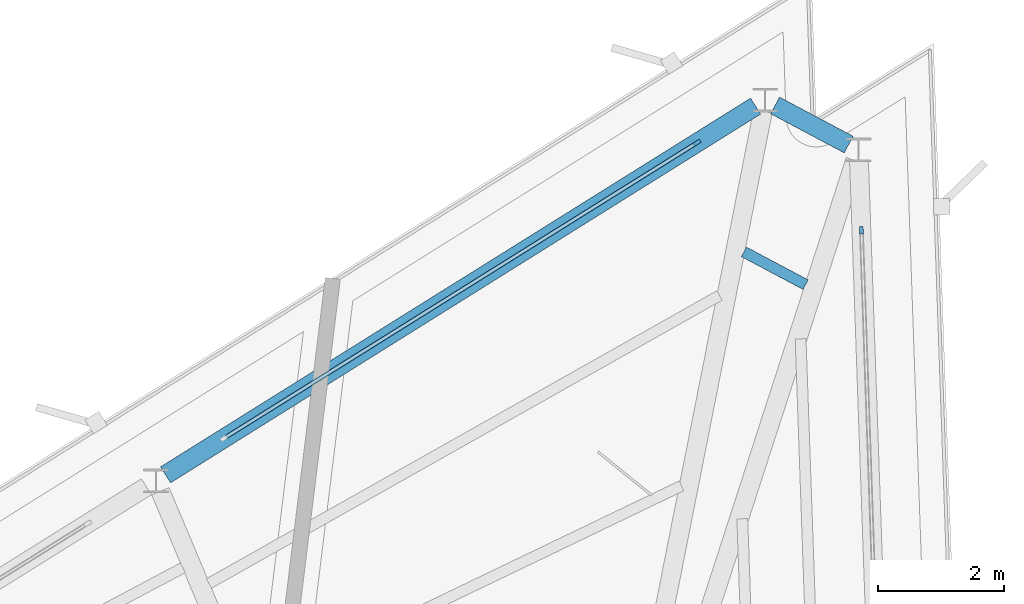
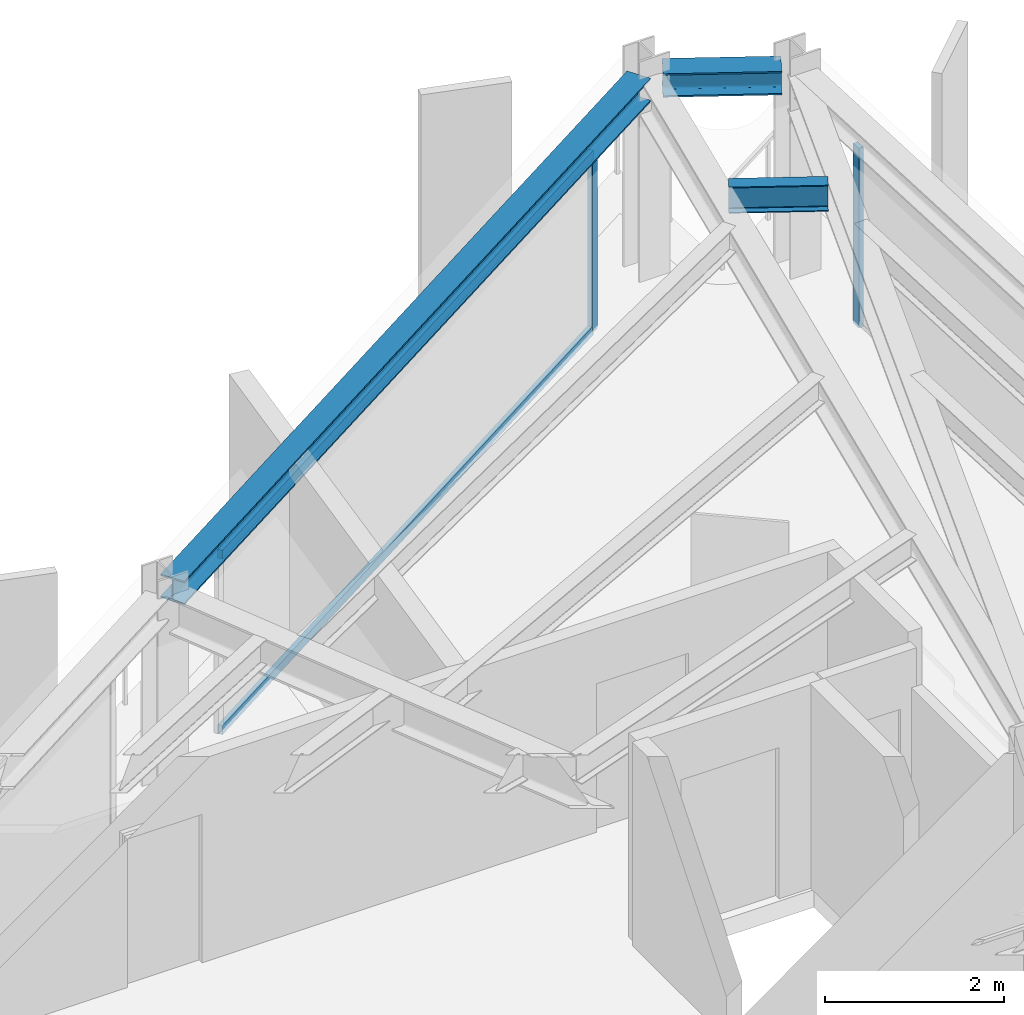
# One storey, part 7 of 13: 4 members, 3 beams, 2 elements without a shape of their own.
"""IFC4 building model written with IfcOpenShell, lengths in metres."""

from ifc_helpers import new_model, si_unit, direction, frame, origin, origin_2d, place, context, subcontext, project, spatial, rectangle, i_section, extrude, material, layer, layer_set, material_profile, profile_set, type_object, element, aggregate, save


model = new_model("IFC4")

# Units and contexts
model_context = context("Model", 3, precision=1e-05, world=origin(), true_north=direction((0.0, 1.0)))
body_context = subcontext(model_context, "Body", "Model", "MODEL_VIEW")
ifc_project = project(units=[si_unit("LENGTHUNIT", "METRE"), si_unit("AREAUNIT", "SQUARE_METRE"), si_unit("VOLUMEUNIT", "CUBIC_METRE"), si_unit("PLANEANGLEUNIT", "RADIAN"), si_unit("MASSUNIT", "GRAM", prefix="KILO")], contexts=[model_context])

# Site, building, storey
site_placement = place(None, origin())
site = spatial("IfcSite", under=ifc_project, at=site_placement, CompositionType="ELEMENT")
building_placement = place(site_placement, origin())
building = spatial("IfcBuilding", under=site, at=building_placement, Name="Rocaltana Carrier Exchange", CompositionType="ELEMENT")
storey_placement = place(building_placement, frame((0.0, 0.0, 208.800048828125)))
storey = spatial("IfcBuildingStorey", under=building, at=storey_placement, Name="L66", CompositionType="ELEMENT", Elevation=208.800048828125)

# Curtain wall, member
ifc_material_1 = material(Name="Aluminium 6063-T6", Category="aluminium")
ifc_layer = layer(ifc_material_1, 0.1201171875)
ifc_layer_set = layer_set([ifc_layer], Name="Aluminium 6063-T6")
curtain_wall_type = type_object("IfcCurtainWallType", Name="High-Altitude Thermal Curtain Wall CW-05", PredefinedType="NOTDEFINED", material=ifc_layer_set)
curtain_wall_1_placement = place(storey_placement, origin())
curtain_wall_1 = element("IfcCurtainWall", 1, at=curtain_wall_1_placement, inside=storey, type_object=curtain_wall_type, Name="L66 CW-05 Run CW-L66-F1S3", PredefinedType="NOTDEFINED")
ifc_material_2 = material(Name="Aluminium 6063-T6", Category="aluminium")
ifc_material_profile_1 = material_profile(ifc_material_2, rectangle(XDim=0.06005859375, YDim=0.1201171875, at=origin_2d()), Name="AL-60X120")
ifc_profile_set_1 = profile_set([ifc_material_profile_1], Name="Aluminium 6063-T6")
member_type_1 = type_object("IfcMemberType", Name="CW-05 Mullion AL-60X120", PredefinedType="MULLION", material=ifc_profile_set_1)
member_1_placement = place(storey_placement, frame((10.31396484375, 16.239990234375, 0.0), z_axis=(0.0, 0.0, 1.0), x_axis=(-0.999390720156, -0.034902556738, 0.0)))
member_1 = element("IfcMember", 2, at=member_1_placement, type_object=member_type_1, Name="CW-05 mullion 2", PredefinedType="MULLION", context=body_context, shape_type="SweptSolid", body=[
    extrude(rectangle(XDim=0.06005859375, YDim=0.1201171875, at=origin_2d()), origin(), (0.0, 0.0, 1.0), 2.447998046875),
])
aggregate(curtain_wall_1, [member_1])

# Curtain wall, members
curtain_wall_2_placement = place(storey_placement, origin())
curtain_wall_2 = element("IfcCurtainWall", 3, at=curtain_wall_2_placement, inside=storey, type_object=curtain_wall_type, Name="L66 CW-05 Run CW-L66-F2S1", PredefinedType="NOTDEFINED")
member_2_placement = place(storey_placement, frame((7.696044921875, 17.6318359375, 0.0), z_axis=(0.0, 0.0, 1.0), x_axis=(0.529928503412, -0.848042322807, 0.0)))
member_2 = element("IfcMember", 4, at=member_2_placement, type_object=member_type_1, Name="CW-05 mullion 1", PredefinedType="MULLION", context=body_context, shape_type="SweptSolid", body=[
    extrude(rectangle(XDim=0.06005859375, YDim=0.1201171875, at=origin_2d()), origin(), (0.0, 0.0, 1.0), 2.447998046875),
])
ifc_material_3 = material(Name="Aluminium 6063-T6", Category="aluminium")
ifc_material_profile_2 = material_profile(ifc_material_3, rectangle(XDim=0.06005859375, YDim=0.1201171875, at=origin_2d()), Name="AL-60X120")
ifc_profile_set_2 = profile_set([ifc_material_profile_2], Name="Aluminium 6063-T6")
member_type_2 = type_object("IfcMemberType", Name="CW-05 Transom AL-60X120", PredefinedType="USERDEFINED", material=ifc_profile_set_2)
member_3_placement = place(storey_placement, frame((7.67041015625, 17.615966796875, 0.030029296875), z_axis=(-0.848037208835, -0.529936687192, 0.0), x_axis=(0.529936687192, -0.848037208835, 0.0)))
member_3 = element("IfcMember", 5, at=member_3_placement, type_object=member_type_2, Name="CW-05 transom 1.1", ObjectType="TRANSOM", PredefinedType="USERDEFINED", context=body_context, shape_type="SweptSolid", body=[
    extrude(rectangle(XDim=0.06005859375, YDim=0.1201171875, at=origin_2d()), origin(), (0.0, 0.0, 1.0), 8.813232421875),
])
member_4_placement = place(storey_placement, frame((7.67041015625, 17.615966796875, 2.41796875), z_axis=(-0.848037208835, -0.529936687192, 0.0), x_axis=(0.529936687192, -0.848037208835, 0.0)))
member_4 = element("IfcMember", 6, at=member_4_placement, type_object=member_type_2, Name="CW-05 transom 1.2", ObjectType="TRANSOM", PredefinedType="USERDEFINED", context=body_context, shape_type="SweptSolid", body=[
    extrude(rectangle(XDim=0.06005859375, YDim=0.1201171875, at=origin_2d()), origin(), (0.0, 0.0, 1.0), 8.813232421875),
])
aggregate(curtain_wall_2, [member_2, member_3, member_4])

# Beams
ifc_material_4 = material(Name="Steel S355", Category="steel")
ifc_material_profile_3 = material_profile(ifc_material_4, i_section(OverallWidth=0.172119140625, OverallDepth=0.35791015625, WebThickness=0.0078125, FlangeThickness=0.01318359375, FilletRadius=0.011962890625, at=origin_2d()), Name="W14X38")
ifc_profile_set_3 = profile_set([ifc_material_profile_3], Name="Steel S355")
beam_type_1 = type_object("IfcBeamType", Name="Floor Joist W14X38", PredefinedType="JOIST", material=ifc_profile_set_3)
beam_1_placement = place(storey_placement, frame((9.4248046875, 15.37353515625, 2.618896484375), z_axis=(-0.882979040658, 0.469412413298, 0.0), x_axis=(-0.469412413298, -0.882979040658, 0.0)))
element("IfcBeam", 7, at=beam_1_placement, inside=storey, type_object=beam_type_1, Name="FJ-L66-04-3", PredefinedType="JOIST", context=body_context, shape_type="SweptSolid", body=[
    extrude(i_section(OverallWidth=0.172119140625, OverallDepth=0.35791015625, WebThickness=0.0078125, FlangeThickness=0.01318359375, FilletRadius=0.011962890625, at=origin_2d()), origin(), (0.0, 0.0, 1.0), 1.1103515625),
])
ifc_material_5 = material(Name="Steel S355", Category="steel")
ifc_material_profile_4 = material_profile(ifc_material_5, i_section(OverallWidth=0.300048828125, OverallDepth=0.320068359375, WebThickness=0.011474609375, FlangeThickness=0.0205078125, FilletRadius=0.027099609375, at=origin_2d()), Name="HEB320")
ifc_profile_set_4 = profile_set([ifc_material_profile_4], Name="Steel S355")
beam_type_2 = type_object("IfcBeamType", Name="Spandrel Edge Beam HEB320", PredefinedType="SPANDREL", material=ifc_profile_set_4)
beam_2_placement = place(storey_placement, frame((10.110595703125, 17.603515625, 2.637939453125), z_axis=(-0.882989322393, 0.46939307253, 0.0), x_axis=(-0.46939307253, -0.882989322393, 0.0)))
element("IfcBeam", 8, at=beam_2_placement, inside=storey, type_object=beam_type_2, Name="SP-L66-04", PredefinedType="SPANDREL", context=body_context, shape_type="SweptSolid", body=[
    extrude(i_section(OverallWidth=0.300048828125, OverallDepth=0.320068359375, WebThickness=0.011474609375, FlangeThickness=0.0205078125, FilletRadius=0.027099609375, at=origin_2d()), origin(), (0.0, 0.0, 1.0), 1.32568359375),
])
beam_3_placement = place(storey_placement, frame((8.62939453125, 18.215087890625, 2.637939453125), z_axis=(-0.84804288723, -0.529927600167, 0.0), x_axis=(0.529927600167, -0.84804288723, 0.0)))
element("IfcBeam", 9, at=beam_3_placement, inside=storey, type_object=beam_type_2, Name="SP-L66-05", PredefinedType="SPANDREL", context=body_context, shape_type="SweptSolid", body=[
    extrude(i_section(OverallWidth=0.300048828125, OverallDepth=0.320068359375, WebThickness=0.011474609375, FlangeThickness=0.0205078125, FilletRadius=0.027099609375, at=origin_2d()), origin(), (0.0, 0.0, 1.0), 11.074462890625),
])

save(model, "model.ifc")
